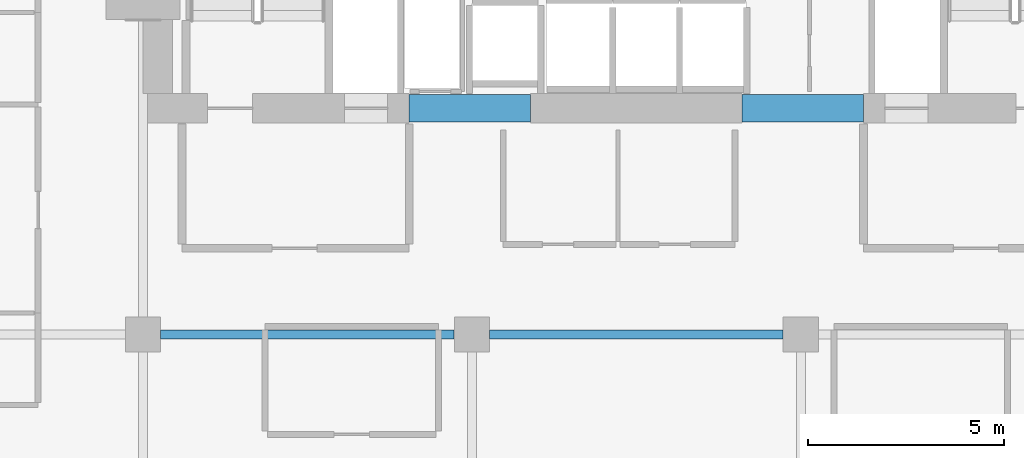
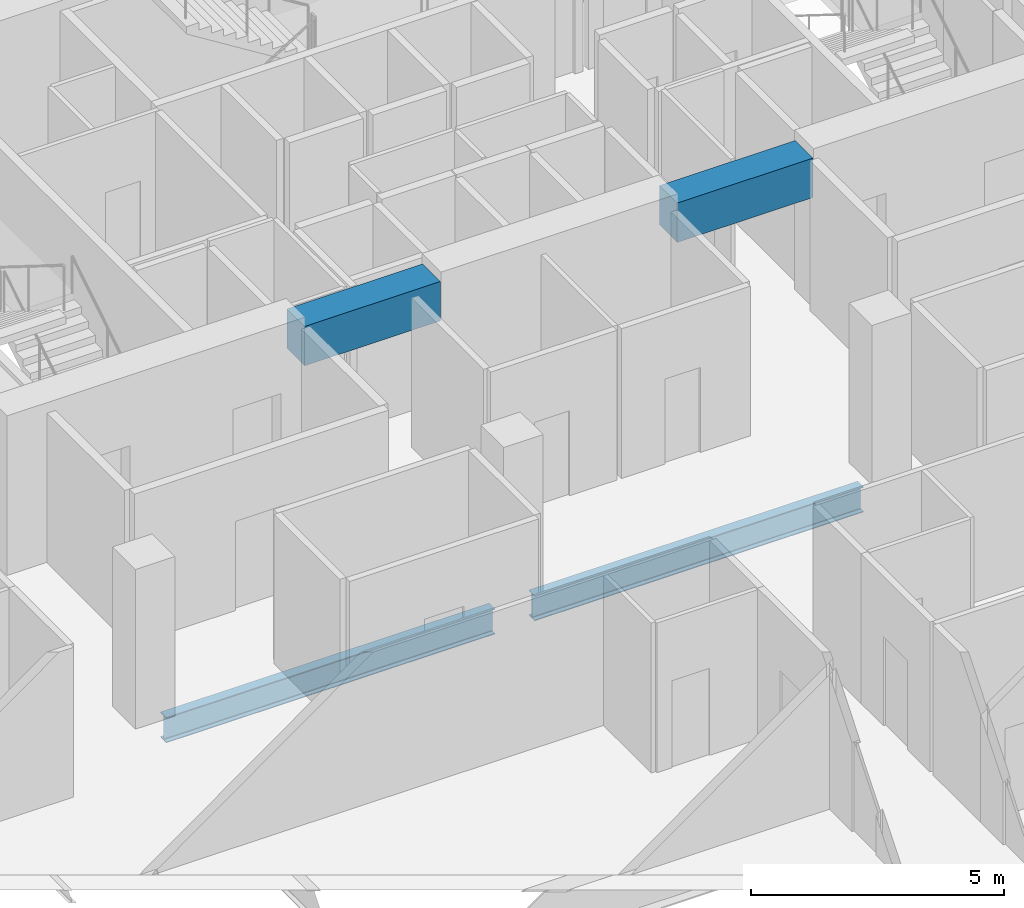
# One storey, part 21 of 34: 4 beams.
"""IFC4 building model written with IfcOpenShell, lengths in metres."""

from ifc_helpers import new_model, si_unit, direction, frame, origin, origin_2d, place, context, subcontext, project, spatial, rectangle, i_section, extrude, material, material_profile, profile_set, type_object, element, save


model = new_model("IFC4")

# Units and contexts
model_context = context("Model", 3, precision=1e-05, world=origin(), true_north=direction((0.0, 1.0)))
body_context = subcontext(model_context, "Body", "Model", "MODEL_VIEW")
ifc_project = project(units=[si_unit("LENGTHUNIT", "METRE"), si_unit("AREAUNIT", "SQUARE_METRE"), si_unit("VOLUMEUNIT", "CUBIC_METRE"), si_unit("PLANEANGLEUNIT", "RADIAN"), si_unit("MASSUNIT", "GRAM", prefix="KILO")], contexts=[model_context])

# Site, building, storey
site_placement = place(None, origin())
site = spatial("IfcSite", under=ifc_project, at=site_placement, CompositionType="ELEMENT")
building_placement = place(site_placement, origin())
building = spatial("IfcBuilding", under=site, at=building_placement, Name="Maruvema Waterfront Hotel and Observation Tower", CompositionType="ELEMENT")
storey_placement = place(building_placement, frame((0.0, 0.0, 146.64990234375)))
storey = spatial("IfcBuildingStorey", under=building, at=storey_placement, Name="L35", CompositionType="ELEMENT", Elevation=146.64990234375)

# Beams
ifc_material_1 = material(Name="Concrete C60/75", Category="concrete")
ifc_material_profile_1 = material_profile(ifc_material_1, rectangle(XDim=0.699951171875, YDim=0.949951171875, at=origin_2d()), Name="CB700x950")
ifc_profile_set_1 = profile_set([ifc_material_profile_1], Name="Concrete C60/75")
beam_type_1 = type_object("IfcBeamType", Name="Core Coupling Lintel Beam CB700x950", PredefinedType="LINTEL", material=ifc_profile_set_1)
for number, where, z_axis, x_axis, name in (
    (1, (32.0, 41.77490234375, 3.135009765625), (1.0, 0.0, 0.0), (0.0, 1.0, 0.0), "L35 Core Coupling Lintel Beam West"),
    (2, (40.5, 41.77490234375, 3.135009765625), (1.0, 0.0, 0.0), (0.0, 1.0, 0.0), "L35 Core Coupling Lintel Beam East"),
):
    element("IfcBeam", number, at=place(storey_placement, frame(where, z_axis=z_axis, x_axis=x_axis)), inside=storey, type_object=beam_type_1, Name=name, PredefinedType="LINTEL", context=body_context, shape_type="SweptSolid", body=[
        extrude(rectangle(XDim=0.699951171875, YDim=0.949951171875, at=origin_2d()), origin(), (0.0, 0.0, 1.0), 3.10009765625),
    ])
ifc_material_2 = material(Name="Steel ASTM A572 Grade 50", Category="steel")
ifc_material_profile_2 = material_profile(ifc_material_2, i_section(OverallWidth=0.22900390625, OverallDepth=0.612060546875, WebThickness=0.011962890625, FlangeThickness=0.01953125, FilletRadius=0.01806640625, at=origin_2d()), Name="W610x125.0")
ifc_profile_set_2 = profile_set([ifc_material_profile_2], Name="Steel ASTM A572 Grade 50")
beam_type_2 = type_object("IfcBeamType", Name="Primary Floor Girder W610x125.0", PredefinedType="BEAM", material=ifc_profile_set_2)
for number, where, z_axis, x_axis, name in (
    (3, (25.64990234375, 36.0, -0.5458984375), (1.0, 0.0, 0.0), (0.0, 1.0, 0.0), "L35 Floor Girder EW-25"),
    (4, (34.050048828125, 36.0, -0.5458984375), (1.0, 0.0, 0.0), (0.0, 1.0, 0.0), "L35 Floor Girder EW-26"),
):
    element("IfcBeam", number, at=place(storey_placement, frame(where, z_axis=z_axis, x_axis=x_axis)), inside=storey, type_object=beam_type_2, Name=name, PredefinedType="BEAM", context=body_context, shape_type="SweptSolid", body=[
        extrude(i_section(OverallWidth=0.22900390625, OverallDepth=0.612060546875, WebThickness=0.011962890625, FlangeThickness=0.01953125, FilletRadius=0.01806640625, at=origin_2d()), origin(), (0.0, 0.0, 1.0), 7.5),
    ])

save(model, "model.ifc")
